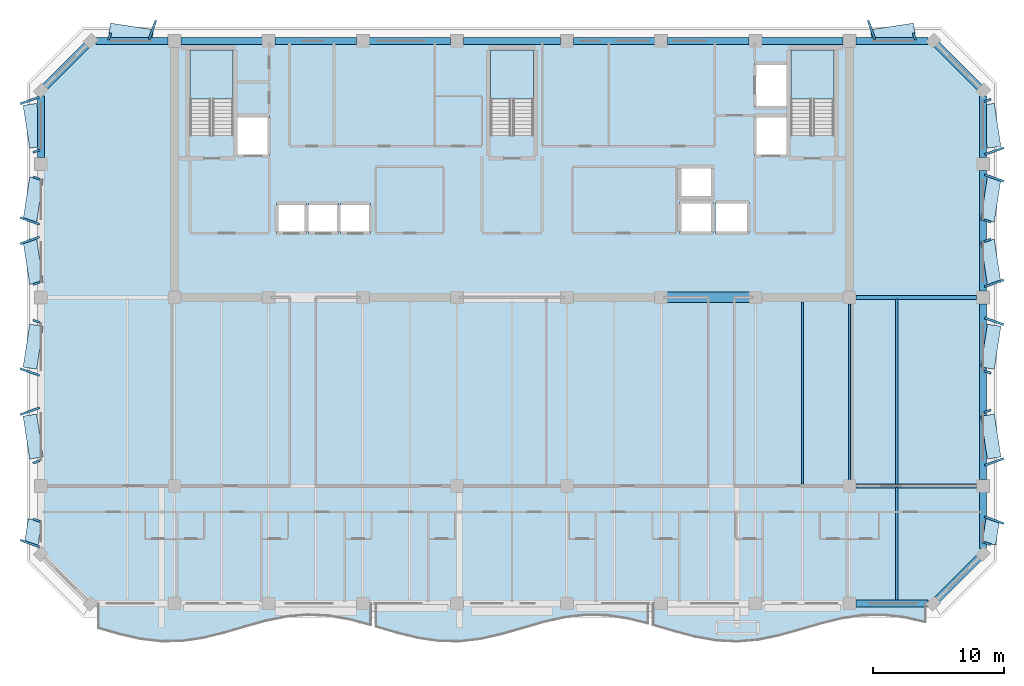
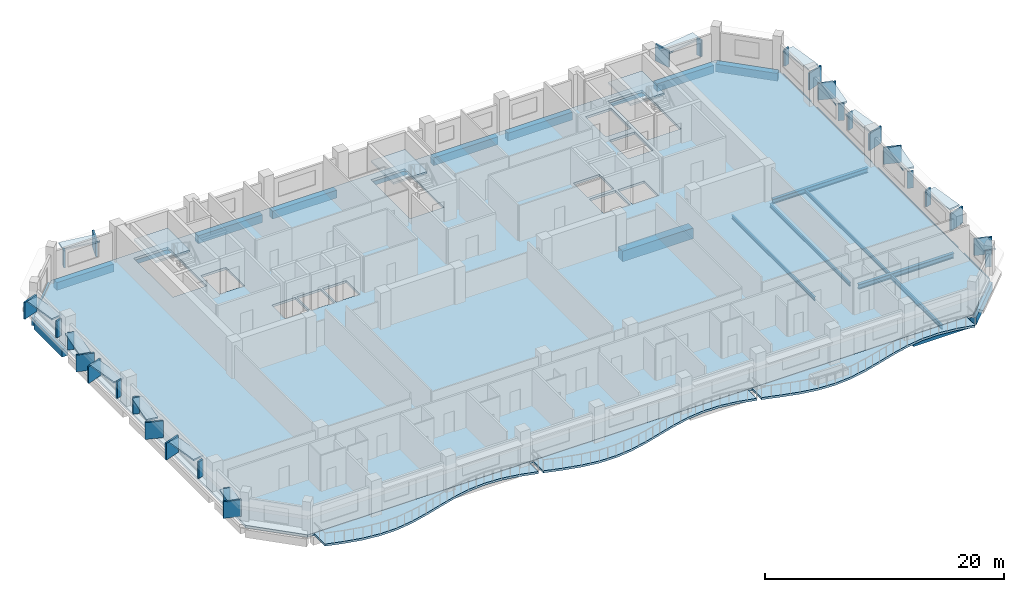
# One storey, part 2 of 11: 42 plates, 25 beams, 7 slabs, 3 elements without a shape of their own.
"""IFC4 building model written with IfcOpenShell, lengths in metres."""

from ifc_helpers import new_model, si_unit, direction, frame, origin, origin_2d, place, context, subcontext, project, spatial, polyline, rectangle, i_section, outline, extrude, material, layer, layer_set, material_profile, profile_set, type_object, element, aggregate, save


model = new_model("IFC4")

# Units and contexts
model_context = context("Model", 3, precision=1e-05, world=origin(), true_north=direction((0.0, 1.0)))
body_context = subcontext(model_context, "Body", "Model", "MODEL_VIEW")
ifc_project = project(units=[si_unit("LENGTHUNIT", "METRE"), si_unit("AREAUNIT", "SQUARE_METRE"), si_unit("VOLUMEUNIT", "CUBIC_METRE"), si_unit("PLANEANGLEUNIT", "RADIAN"), si_unit("MASSUNIT", "GRAM", prefix="KILO")], contexts=[model_context])

# Site, building, storey
site_placement = place(None, origin())
site = spatial("IfcSite", under=ifc_project, at=site_placement, CompositionType="ELEMENT")
building_placement = place(site_placement, origin())
building = spatial("IfcBuilding", under=site, at=building_placement, Name="Kaelvorn Grand Hotel", CompositionType="ELEMENT")
storey_placement = place(building_placement, frame((0.0, 0.0, 237.050048828125)))
storey = spatial("IfcBuildingStorey", under=building, at=storey_placement, Name="L58", CompositionType="ELEMENT", Elevation=237.050048828125)

# Beams
ifc_material_1 = material(Name="Steel S355", Category="steel")
ifc_material_profile_1 = material_profile(ifc_material_1, i_section(OverallWidth=0.300048828125, OverallDepth=0.5, WebThickness=0.014404296875, FlangeThickness=0.028076171875, FilletRadius=0.027099609375, at=origin_2d()), Name="HEB 500")
ifc_profile_set_1 = profile_set([ifc_material_profile_1], Name="Steel S355")
beam_type_1 = type_object("IfcBeamType", Name="BM-G-HEB500-S355", PredefinedType="BEAM", material=ifc_profile_set_1)
for number, where, z_axis, x_axis, name in (
    (1, (68.284912109375, 15.0, -0.489990234375), (1.0, 0.0, 0.0), (0.0, 1.0, 0.0), "L58 Primary Spine Steel Girder G-15 05"),
    (2, (68.284912109375, 29.39990234375, -0.489990234375), (1.0, 0.0, 0.0), (0.0, 1.0, 0.0), "L58 East Core Wing Steel Girder G-29E 01"),
):
    element("IfcBeam", number, at=place(storey_placement, frame(where, z_axis=z_axis, x_axis=x_axis)), inside=storey, type_object=beam_type_1, Name=name, PredefinedType="BEAM", context=body_context, shape_type="SweptSolid", body=[
        extrude(i_section(OverallWidth=0.300048828125, OverallDepth=0.5, WebThickness=0.014404296875, FlangeThickness=0.028076171875, FilletRadius=0.027099609375, at=origin_2d()), origin(), (0.0, 0.0, 1.0), 9.22998046875),
    ])
ifc_material_profile_2 = material_profile(ifc_material_1, i_section(OverallWidth=0.169921875, OverallDepth=0.360107421875, WebThickness=0.008056640625, FlangeThickness=0.0126953125, FilletRadius=0.01806640625, at=origin_2d()), Name="IPE 360")
ifc_profile_set_2 = profile_set([ifc_material_profile_2], Name="Steel S355")
beam_type_2 = type_object("IfcBeamType", Name="BM-J-IPE360-S355", PredefinedType="JOIST", material=ifc_profile_set_2)
beam_1_placement = place(storey_placement, frame((64.199951171875, 15.135009765625, -0.420166015625), z_axis=(0.0, 1.0, 0.0), x_axis=(-1.0, 0.0, 0.0)))
element("IfcBeam", 3, at=beam_1_placement, inside=storey, type_object=beam_type_2, Name="L58 Composite Floor Joist JM-18", PredefinedType="JOIST", context=body_context, shape_type="SweptSolid", body=[
    extrude(i_section(OverallWidth=0.169921875, OverallDepth=0.360107421875, WebThickness=0.008056640625, FlangeThickness=0.0126953125, FilletRadius=0.01806640625, at=origin_2d()), origin(), (0.0, 0.0, 1.0), 13.925048828125),
])
beam_2_placement = place(storey_placement, frame((67.800048828125, 15.485107421875, -0.420166015625), z_axis=(0.0, 1.0, 0.0), x_axis=(-1.0, 0.0, 0.0)))
element("IfcBeam", 4, at=beam_2_placement, inside=storey, type_object=beam_type_2, Name="L58 Composite Floor Joist JM-19", PredefinedType="JOIST", context=body_context, shape_type="SweptSolid", body=[
    extrude(i_section(OverallWidth=0.169921875, OverallDepth=0.360107421875, WebThickness=0.008056640625, FlangeThickness=0.0126953125, FilletRadius=0.01806640625, at=origin_2d()), origin(), (0.0, 0.0, 1.0), 13.429931640625),
])
beam_3_placement = place(storey_placement, frame((71.39990234375, 15.135009765625, -0.420166015625), z_axis=(0.0, 1.0, 0.0), x_axis=(-1.0, 0.0, 0.0)))
element("IfcBeam", 5, at=beam_3_placement, inside=storey, type_object=beam_type_2, Name="L58 Composite Floor Joist JM-20", PredefinedType="JOIST", context=body_context, shape_type="SweptSolid", body=[
    extrude(i_section(OverallWidth=0.169921875, OverallDepth=0.360107421875, WebThickness=0.008056640625, FlangeThickness=0.0126953125, FilletRadius=0.01806640625, at=origin_2d()), origin(), (0.0, 0.0, 1.0), 14.1298828125),
])
ifc_material_profile_3 = material_profile(ifc_material_1, i_section(OverallWidth=0.18994140625, OverallDepth=0.449951171875, WebThickness=0.009521484375, FlangeThickness=0.0146484375, FilletRadius=0.02099609375, at=origin_2d()), Name="IPE 450")
ifc_profile_set_3 = profile_set([ifc_material_profile_3], Name="Steel S355")
beam_type_3 = type_object("IfcBeamType", Name="BM-J-IPE450-S355", PredefinedType="JOIST", material=ifc_profile_set_3)
beam_4_placement = place(storey_placement, frame((71.39990234375, 6.260009765625, -0.465087890625), z_axis=(0.0, 1.0, 0.0), x_axis=(-1.0, 0.0, 0.0)))
element("IfcBeam", 6, at=beam_4_placement, inside=storey, type_object=beam_type_3, Name="L58 Composite Floor Joist JS-20", PredefinedType="JOIST", context=body_context, shape_type="SweptSolid", body=[
    extrude(i_section(OverallWidth=0.18994140625, OverallDepth=0.449951171875, WebThickness=0.009521484375, FlangeThickness=0.0146484375, FilletRadius=0.02099609375, at=origin_2d()), origin(), (0.0, 0.0, 1.0), 8.60498046875),
])
ifc_material_2 = material(Name="Concrete C60/75", Category="concrete")
ifc_material_profile_4 = material_profile(ifc_material_2, rectangle(XDim=0.800048828125, YDim=1.10009765625, at=origin_2d()), Name="RC LINTEL 800x1100")
ifc_profile_set_4 = profile_set([ifc_material_profile_4], Name="Concrete C60/75")
beam_type_4 = type_object("IfcBeamType", Name="BM-LIN-800x1100-C60", PredefinedType="LINTEL", material=ifc_profile_set_4)
beam_5_placement = place(storey_placement, frame((53.580078125, 29.39990234375, -0.7900390625), z_axis=(1.0, 0.0, 0.0), x_axis=(0.0, 1.0, 0.0)))
element("IfcBeam", 7, at=beam_5_placement, inside=storey, type_object=beam_type_4, Name="L58 Rear-Core Coupling Lintel Beam CB1-03", PredefinedType="LINTEL", context=body_context, shape_type="SweptSolid", body=[
    extrude(rectangle(XDim=0.800048828125, YDim=1.10009765625, at=origin_2d()), origin(), (0.0, 0.0, 1.0), 6.83984375),
])
ifc_material_3 = material(Name="Concrete C50/60", Category="concrete")
ifc_material_profile_5 = material_profile(ifc_material_3, rectangle(XDim=0.550048828125, YDim=0.800048828125, at=origin_2d()), Name="RC SPANDREL 550x800")
ifc_profile_set_5 = profile_set([ifc_material_profile_5], Name="Concrete C50/60")
beam_type_5 = type_object("IfcBeamType", Name="BM-SP-550x800-C50", PredefinedType="SPANDREL", material=ifc_profile_set_5)
for number, where, z_axis, x_axis, name in (
    (8, (68.284912109375, 6.0, -0.64013671875), (1.0, 0.0, 0.0), (0.0, 1.0, 0.0), "L58 South Perimeter Spandrel 09"),
    (9, (10.205078125, 49.0, -0.64013671875), (1.0, 0.0, 0.0), (0.0, 1.0, 0.0), "L58 North Perimeter Spandrel 01"),
):
    element("IfcBeam", number, at=place(storey_placement, frame(where, z_axis=z_axis, x_axis=x_axis)), inside=storey, type_object=beam_type_5, Name=name, PredefinedType="SPANDREL", context=body_context, shape_type="SweptSolid", body=[
        extrude(rectangle(XDim=0.550048828125, YDim=0.800048828125, at=origin_2d()), origin(), (0.0, 0.0, 1.0), 5.510009765625),
    ])
for number, where, z_axis, x_axis, name in (
    (10, (16.68505859375, 49.0, -0.64013671875), (1.0, 0.0, 0.0), (0.0, 1.0, 0.0), "L58 North Perimeter Spandrel 02"),
    (11, (23.885009765625, 49.0, -0.64013671875), (1.0, 0.0, 0.0), (0.0, 1.0, 0.0), "L58 North Perimeter Spandrel 03"),
    (12, (31.0849609375, 49.0, -0.64013671875), (1.0, 0.0, 0.0), (0.0, 1.0, 0.0), "L58 North Perimeter Spandrel 04"),
):
    element("IfcBeam", number, at=place(storey_placement, frame(where, z_axis=z_axis, x_axis=x_axis)), inside=storey, type_object=beam_type_5, Name=name, PredefinedType="SPANDREL", context=body_context, shape_type="SweptSolid", body=[
        extrude(rectangle(XDim=0.550048828125, YDim=0.800048828125, at=origin_2d()), origin(), (0.0, 0.0, 1.0), 6.22998046875),
    ])
beam_6_placement = place(storey_placement, frame((38.284912109375, 49.0, -0.64013671875), z_axis=(1.0, 0.0, 0.0), x_axis=(0.0, 1.0, 0.0)))
element("IfcBeam", 13, at=beam_6_placement, inside=storey, type_object=beam_type_5, Name="L58 North Perimeter Spandrel 05", PredefinedType="SPANDREL", context=body_context, shape_type="SweptSolid", body=[
    extrude(rectangle(XDim=0.550048828125, YDim=0.800048828125, at=origin_2d()), origin(), (0.0, 0.0, 1.0), 7.43017578125),
])
for number, where, z_axis, x_axis, name in (
    (14, (46.68505859375, 49.0, -0.64013671875), (1.0, 0.0, 0.0), (0.0, 1.0, 0.0), "L58 North Perimeter Spandrel 06"),
    (15, (53.885009765625, 49.0, -0.64013671875), (1.0, 0.0, 0.0), (0.0, 1.0, 0.0), "L58 North Perimeter Spandrel 07"),
    (16, (61.0849609375, 49.0, -0.64013671875), (1.0, 0.0, 0.0), (0.0, 1.0, 0.0), "L58 North Perimeter Spandrel 08"),
):
    element("IfcBeam", number, at=place(storey_placement, frame(where, z_axis=z_axis, x_axis=x_axis)), inside=storey, type_object=beam_type_5, Name=name, PredefinedType="SPANDREL", context=body_context, shape_type="SweptSolid", body=[
        extrude(rectangle(XDim=0.550048828125, YDim=0.800048828125, at=origin_2d()), origin(), (0.0, 0.0, 1.0), 6.22998046875),
    ])
beam_7_placement = place(storey_placement, frame((68.284912109375, 49.0, -0.64013671875), z_axis=(1.0, 0.0, 0.0), x_axis=(0.0, 1.0, 0.0)))
element("IfcBeam", 17, at=beam_7_placement, inside=storey, type_object=beam_type_5, Name="L58 North Perimeter Spandrel 09", PredefinedType="SPANDREL", context=body_context, shape_type="SweptSolid", body=[
    extrude(rectangle(XDim=0.550048828125, YDim=0.800048828125, at=origin_2d()), origin(), (0.0, 0.0, 1.0), 5.510009765625),
])
beam_8_placement = place(storey_placement, frame((6.0, 40.0849609375, -0.64013671875), z_axis=(0.0, 1.0, 0.0), x_axis=(-1.0, 0.0, 0.0)))
element("IfcBeam", 18, at=beam_8_placement, inside=storey, type_object=beam_type_5, Name="L58 West Perimeter Spandrel 04", PredefinedType="SPANDREL", context=body_context, shape_type="SweptSolid", body=[
    extrude(rectangle(XDim=0.550048828125, YDim=0.800048828125, at=origin_2d()), origin(), (0.0, 0.0, 1.0), 4.7099609375),
])
beam_9_placement = place(storey_placement, frame((78.0, 10.205078125, -0.64013671875), z_axis=(0.0, 1.0, 0.0), x_axis=(-1.0, 0.0, 0.0)))
element("IfcBeam", 19, at=beam_9_placement, inside=storey, type_object=beam_type_5, Name="L58 East Perimeter Spandrel 01", PredefinedType="SPANDREL", context=body_context, shape_type="SweptSolid", body=[
    extrude(rectangle(XDim=0.550048828125, YDim=0.800048828125, at=origin_2d()), origin(), (0.0, 0.0, 1.0), 4.309814453125),
])
beam_10_placement = place(storey_placement, frame((78.0, 15.485107421875, -0.64013671875), z_axis=(0.0, 1.0, 0.0), x_axis=(-1.0, 0.0, 0.0)))
element("IfcBeam", 20, at=beam_10_placement, inside=storey, type_object=beam_type_5, Name="L58 East Perimeter Spandrel 02", PredefinedType="SPANDREL", context=body_context, shape_type="SweptSolid", body=[
    extrude(rectangle(XDim=0.550048828125, YDim=0.800048828125, at=origin_2d()), origin(), (0.0, 0.0, 1.0), 13.429931640625),
])
beam_11_placement = place(storey_placement, frame((78.0, 29.885009765625, -0.64013671875), z_axis=(0.0, 1.0, 0.0), x_axis=(-1.0, 0.0, 0.0)))
element("IfcBeam", 21, at=beam_11_placement, inside=storey, type_object=beam_type_5, Name="L58 East Perimeter Spandrel 03", PredefinedType="SPANDREL", context=body_context, shape_type="SweptSolid", body=[
    extrude(rectangle(XDim=0.550048828125, YDim=0.800048828125, at=origin_2d()), origin(), (0.0, 0.0, 1.0), 9.22998046875),
])
beam_12_placement = place(storey_placement, frame((78.0, 40.0849609375, -0.64013671875), z_axis=(0.0, 1.0, 0.0), x_axis=(-1.0, 0.0, 0.0)))
element("IfcBeam", 22, at=beam_12_placement, inside=storey, type_object=beam_type_5, Name="L58 East Perimeter Spandrel 04", PredefinedType="SPANDREL", context=body_context, shape_type="SweptSolid", body=[
    extrude(rectangle(XDim=0.550048828125, YDim=0.800048828125, at=origin_2d()), origin(), (0.0, 0.0, 1.0), 4.7099609375),
])
for number, where, z_axis, x_axis, name in (
    (23, (74.199951171875, 6.0, -0.64013671875), (0.707106781187, 0.707106781187, 0.0), (-0.707106781187, 0.707106781187, 0.0), "L58 Chamfer Spandrel Beam 1"),
    (24, (78.0, 45.199951171875, -0.64013671875), (-0.707106781187, 0.707106781187, 0.0), (-0.707106781187, -0.707106781187, 0.0), "L58 Chamfer Spandrel Beam 2"),
    (25, (9.800048828125, 49.0, -0.64013671875), (-0.707106781187, -0.707106781187, 0.0), (0.707106781187, -0.707106781187, 0.0), "L58 Chamfer Spandrel Beam 3"),
):
    element("IfcBeam", number, at=place(storey_placement, frame(where, z_axis=z_axis, x_axis=x_axis)), inside=storey, type_object=beam_type_5, Name=name, PredefinedType="SPANDREL", context=body_context, shape_type="SweptSolid", body=[
        extrude(rectangle(XDim=0.550048828125, YDim=0.800048828125, at=origin_2d()), origin(), (0.0, 0.0, 1.0), 5.3740234375),
    ])

# Plates
ifc_material_4 = material(Name="Precast concrete C45/55", Category="concrete")
ifc_layer_1 = layer(ifc_material_4, 0.159912109375)
ifc_layer_set_1 = layer_set([ifc_layer_1], Name="Precast concrete C45/55")
plate_type_1 = type_object("IfcPlateType", Name="PL-FRAME-DEEP-1550", PredefinedType="USERDEFINED", material=ifc_layer_set_1)
for number, where, z_axis, x_axis, name in (
    (26, (78.844970703125, 12.375, 0.68994140625), (0.0, 0.0, 1.0), (0.333806859234, 0.942641491092, 0.0), "L58 Tilted Precast Window Frame Fin R-E01"),
    (27, (78.844970703125, 16.824951171875, 0.81494140625), (0.0, 0.0, 1.0), (-0.333806859234, 0.942641491092, 0.0), "L58 Tilted Precast Window Frame Fin L-E02"),
    (28, (78.844970703125, 27.574951171875, 0.81494140625), (0.0, 0.0, 1.0), (0.333806859234, 0.942641491092, 0.0), "L58 Tilted Precast Window Frame Fin R-E03"),
    (29, (78.844970703125, 30.47509765625, 0.73974609375), (0.0, 0.0, 1.0), (-0.333806859234, 0.942641491092, 0.0), "L58 Tilted Precast Window Frame Fin L-E04"),
    (30, (78.844970703125, 38.52490234375, 0.73974609375), (0.0, 0.0, 1.0), (0.333806859234, 0.942641491092, 0.0), "L58 Tilted Precast Window Frame Fin R-E05"),
    (31, (78.844970703125, 40.574951171875, 0.81494140625), (0.0, 0.0, 1.0), (-0.333806859234, 0.942641491092, 0.0), "L58 Tilted Precast Window Frame Fin L-E06"),
    (32, (5.155029296875, 10.594970703125, 0.68994140625), (0.0, 0.0, 1.0), (0.333806859234, 0.942641491092, 0.0), "L58 Tilted Precast Window Frame Fin L-W01"),
    (33, (5.155029296875, 20.705078125, 0.81494140625), (0.0, 0.0, 1.0), (-0.333806859234, 0.942641491092, 0.0), "L58 Tilted Precast Window Frame Fin R-W02"),
    (34, (5.155029296875, 23.695068359375, 0.81494140625), (0.0, 0.0, 1.0), (0.333806859234, 0.942641491092, 0.0), "L58 Tilted Precast Window Frame Fin L-W03"),
    (35, (5.155029296875, 33.7548828125, 0.73974609375), (0.0, 0.0, 1.0), (-0.333806859234, 0.942641491092, 0.0), "L58 Tilted Precast Window Frame Fin R-W04"),
    (36, (5.155029296875, 35.2451171875, 0.73974609375), (0.0, 0.0, 1.0), (0.333806859234, 0.942641491092, 0.0), "L58 Tilted Precast Window Frame Fin L-W05"),
    (37, (5.155029296875, 44.455078125, 0.81494140625), (0.0, 0.0, 1.0), (-0.333806859234, 0.942641491092, 0.0), "L58 Tilted Precast Window Frame Fin R-W06"),
    (38, (14.52490234375, 49.844970703125, 0.73974609375), (0.0, 0.0, 1.0), (0.942641491092, -0.333806859234, 0.0), "L58 Tilted Precast Window Frame Fin R-N01"),
    (39, (69.47509765625, 49.844970703125, 0.73974609375), (0.0, 0.0, 1.0), (0.942641491092, 0.333806859234, 0.0), "L58 Tilted Precast Window Frame Fin L-N02"),
):
    element("IfcPlate", number, at=place(storey_placement, frame(where, z_axis=z_axis, x_axis=x_axis)), inside=storey, type_object=plate_type_1, Name=name, ObjectType="FLANGE_PLATE", PredefinedType="USERDEFINED", context=body_context, shape_type="SweptSolid", body=[
        extrude(rectangle(XDim=0.159912109375, YDim=1.550048828125, at=origin_2d()), origin(), (0.0, 0.0, 1.0), 1.719970703125),
    ])
ifc_layer_2 = layer(ifc_material_4, 0.159912109375)
ifc_layer_set_2 = layer_set([ifc_layer_2], Name="Precast concrete C45/55")
plate_type_2 = type_object("IfcPlateType", Name="PL-FRAME-HEAD-1050", PredefinedType="USERDEFINED", material=ifc_layer_set_2)
plate_1_placement = place(storey_placement, frame((78.594970703125, 11.485107421875, 2.25), z_axis=(0.0, 0.0, 1.0), x_axis=(0.152554625759, 0.988295040036, 0.0)))
element("IfcPlate", 40, at=plate_1_placement, inside=storey, type_object=plate_type_2, Name="L58 Precast Window Frame Head Hood H-E01", ObjectType="FLANGE_PLATE", PredefinedType="USERDEFINED", context=body_context, shape_type="SweptSolid", body=[
    extrude(rectangle(XDim=1.860107421875, YDim=1.050048828125, at=origin_2d()), origin(), (0.0, 0.0, 1.0), 0.159912109375),
])
for number, where, z_axis, x_axis, name in (
    (41, (78.594970703125, 18.764892578125, 2.5), (0.0, 0.0, 1.0), (-0.152554625759, 0.988295040036, 0.0), "L58 Precast Window Frame Head Hood H-E02"),
    (42, (78.594970703125, 25.635009765625, 2.5), (0.0, 0.0, 1.0), (0.152554625759, 0.988295040036, 0.0), "L58 Precast Window Frame Head Hood H-E03"),
    (43, (78.594970703125, 32.114990234375, 2.35009765625), (0.0, 0.0, 1.0), (-0.152554625759, 0.988295040036, 0.0), "L58 Precast Window Frame Head Hood H-E04"),
    (44, (78.594970703125, 36.885009765625, 2.35009765625), (0.0, 0.0, 1.0), (0.152554625759, 0.988295040036, 0.0), "L58 Precast Window Frame Head Hood H-E05"),
    (45, (78.594970703125, 42.514892578125, 2.5), (0.0, 0.0, 1.0), (-0.152554625759, 0.988295040036, 0.0), "L58 Precast Window Frame Head Hood H-E06"),
):
    element("IfcPlate", number, at=place(storey_placement, frame(where, z_axis=z_axis, x_axis=x_axis)), inside=storey, type_object=plate_type_2, Name=name, ObjectType="FLANGE_PLATE", PredefinedType="USERDEFINED", context=body_context, shape_type="SweptSolid", body=[
        extrude(rectangle(XDim=3.320068359375, YDim=1.050048828125, at=origin_2d()), origin(), (0.0, 0.0, 1.0), 0.159912109375),
    ])
plate_2_placement = place(storey_placement, frame((5.405029296875, 11.485107421875, 2.25), z_axis=(0.0, 0.0, 1.0), x_axis=(0.152554625759, 0.988295040036, 0.0)))
element("IfcPlate", 46, at=plate_2_placement, inside=storey, type_object=plate_type_2, Name="L58 Precast Window Frame Head Hood H-W01", ObjectType="FLANGE_PLATE", PredefinedType="USERDEFINED", context=body_context, shape_type="SweptSolid", body=[
    extrude(rectangle(XDim=1.860107421875, YDim=1.050048828125, at=origin_2d()), origin(), (0.0, 0.0, 1.0), 0.159912109375),
])
for number, where, z_axis, x_axis, name in (
    (47, (5.405029296875, 18.764892578125, 2.5), (0.0, 0.0, 1.0), (-0.152554625759, 0.988295040036, 0.0), "L58 Precast Window Frame Head Hood H-W02"),
    (48, (5.405029296875, 25.635009765625, 2.5), (0.0, 0.0, 1.0), (0.152554625759, 0.988295040036, 0.0), "L58 Precast Window Frame Head Hood H-W03"),
    (49, (5.405029296875, 32.114990234375, 2.35009765625), (0.0, 0.0, 1.0), (-0.152554625759, 0.988295040036, 0.0), "L58 Precast Window Frame Head Hood H-W04"),
    (50, (5.405029296875, 36.885009765625, 2.35009765625), (0.0, 0.0, 1.0), (0.152554625759, 0.988295040036, 0.0), "L58 Precast Window Frame Head Hood H-W05"),
    (51, (5.405029296875, 42.514892578125, 2.5), (0.0, 0.0, 1.0), (-0.152554625759, 0.988295040036, 0.0), "L58 Precast Window Frame Head Hood H-W06"),
    (52, (12.885009765625, 49.594970703125, 2.35009765625), (0.0, 0.0, 1.0), (0.988295040036, -0.152554625759, 0.0), "L58 Precast Window Frame Head Hood H-N01"),
    (53, (71.114990234375, 49.594970703125, 2.35009765625), (0.0, 0.0, 1.0), (0.988295040036, 0.152554625759, 0.0), "L58 Precast Window Frame Head Hood H-N02"),
):
    element("IfcPlate", number, at=place(storey_placement, frame(where, z_axis=z_axis, x_axis=x_axis)), inside=storey, type_object=plate_type_2, Name=name, ObjectType="FLANGE_PLATE", PredefinedType="USERDEFINED", context=body_context, shape_type="SweptSolid", body=[
        extrude(rectangle(XDim=3.320068359375, YDim=1.050048828125, at=origin_2d()), origin(), (0.0, 0.0, 1.0), 0.159912109375),
    ])
ifc_layer_3 = layer(ifc_material_4, 0.159912109375)
ifc_layer_set_3 = layer_set([ifc_layer_3], Name="Precast concrete C45/55")
plate_type_3 = type_object("IfcPlateType", Name="PL-FRAME-SHAL-550", PredefinedType="USERDEFINED", material=ifc_layer_set_3)
for number, where, z_axis, x_axis, name in (
    (54, (78.344970703125, 10.594970703125, 0.68994140625), (0.0, 0.0, 1.0), (0.333806859234, 0.942641491092, 0.0), "L58 Tilted Precast Window Frame Fin L-E01"),
    (55, (78.344970703125, 20.705078125, 0.81494140625), (0.0, 0.0, 1.0), (-0.333806859234, 0.942641491092, 0.0), "L58 Tilted Precast Window Frame Fin R-E02"),
    (56, (78.344970703125, 23.695068359375, 0.81494140625), (0.0, 0.0, 1.0), (0.333806859234, 0.942641491092, 0.0), "L58 Tilted Precast Window Frame Fin L-E03"),
    (57, (78.344970703125, 33.7548828125, 0.73974609375), (0.0, 0.0, 1.0), (-0.333806859234, 0.942641491092, 0.0), "L58 Tilted Precast Window Frame Fin R-E04"),
    (58, (78.344970703125, 35.2451171875, 0.73974609375), (0.0, 0.0, 1.0), (0.333806859234, 0.942641491092, 0.0), "L58 Tilted Precast Window Frame Fin L-E05"),
    (59, (78.344970703125, 44.455078125, 0.81494140625), (0.0, 0.0, 1.0), (-0.333806859234, 0.942641491092, 0.0), "L58 Tilted Precast Window Frame Fin R-E06"),
    (60, (5.655029296875, 12.375, 0.68994140625), (0.0, 0.0, 1.0), (0.333806859234, 0.942641491092, 0.0), "L58 Tilted Precast Window Frame Fin R-W01"),
    (61, (5.655029296875, 16.824951171875, 0.81494140625), (0.0, 0.0, 1.0), (-0.333806859234, 0.942641491092, 0.0), "L58 Tilted Precast Window Frame Fin L-W02"),
    (62, (5.655029296875, 27.574951171875, 0.81494140625), (0.0, 0.0, 1.0), (0.333806859234, 0.942641491092, 0.0), "L58 Tilted Precast Window Frame Fin R-W03"),
    (63, (5.655029296875, 30.47509765625, 0.73974609375), (0.0, 0.0, 1.0), (-0.333806859234, 0.942641491092, 0.0), "L58 Tilted Precast Window Frame Fin L-W04"),
    (64, (5.655029296875, 38.52490234375, 0.73974609375), (0.0, 0.0, 1.0), (0.333806859234, 0.942641491092, 0.0), "L58 Tilted Precast Window Frame Fin R-W05"),
    (65, (5.655029296875, 40.574951171875, 0.81494140625), (0.0, 0.0, 1.0), (-0.333806859234, 0.942641491092, 0.0), "L58 Tilted Precast Window Frame Fin L-W06"),
    (66, (11.2451171875, 49.344970703125, 0.73974609375), (0.0, 0.0, 1.0), (0.942641491092, -0.333806859234, 0.0), "L58 Tilted Precast Window Frame Fin L-N01"),
    (67, (72.7548828125, 49.344970703125, 0.73974609375), (0.0, 0.0, 1.0), (0.942641491092, 0.333806859234, 0.0), "L58 Tilted Precast Window Frame Fin R-N02"),
):
    element("IfcPlate", number, at=place(storey_placement, frame(where, z_axis=z_axis, x_axis=x_axis)), inside=storey, type_object=plate_type_3, Name=name, ObjectType="FLANGE_PLATE", PredefinedType="USERDEFINED", context=body_context, shape_type="SweptSolid", body=[
        extrude(rectangle(XDim=0.159912109375, YDim=0.550048828125, at=origin_2d()), origin(), (0.0, 0.0, 1.0), 1.719970703125),
    ])

# Slabs
ifc_material_5 = material(Name="Concrete C40/50", Category="concrete")
ifc_layer_4 = layer(ifc_material_5, 0.219970703125)
ifc_layer_set_4 = layer_set([ifc_layer_4], Name="Concrete C40/50")
slab_type_1 = type_object("IfcSlabType", Name="SLB-BALC-220-C40", PredefinedType="FLOOR", material=ifc_layer_set_4)
slab_1_placement = place(storey_placement, frame((0.0, 0.0, -0.219970703125)))
element("IfcSlab", 68, at=slab_1_placement, inside=storey, type_object=slab_type_1, Name="L58 Scalloped Wave Balcony Slab 1", PredefinedType="FLOOR", context=body_context, shape_type="SweptSolid", body=[
    extrude(outline(polyline([(10.39990234375, 4.125), (12.0, 3.6650390625), (13.60009765625, 3.302734375), (15.199951171875, 3.115478515625), (16.800048828125, 3.14306640625), (18.39990234375, 3.37939453125), (20.0, 3.7744140625), (21.60009765625, 4.243896484375), (23.199951171875, 4.688232421875), (24.800048828125, 5.0126953125), (26.39990234375, 5.148193359375), (28.0, 5.066162109375), (29.60009765625, 4.783935546875), (31.199951171875, 4.361328125), (31.199951171875, 6.0), (10.39990234375, 6.0), (10.39990234375, 4.125)])), origin(), (0.0, 0.0, 1.0), 0.219970703125),
])
slab_2_placement = place(storey_placement, frame((0.0, 0.0, -0.219970703125)))
element("IfcSlab", 69, at=slab_2_placement, inside=storey, type_object=slab_type_1, Name="L58 Scalloped Wave Balcony Slab 2", PredefinedType="FLOOR", context=body_context, shape_type="SweptSolid", body=[
    extrude(outline(polyline([(31.60009765625, 4.243896484375), (33.199951171875, 3.7744140625), (34.800048828125, 3.37939453125), (36.39990234375, 3.14306640625), (38.0, 3.115478515625), (39.60009765625, 3.302734375), (41.199951171875, 3.6650390625), (42.800048828125, 4.125), (44.39990234375, 4.5849609375), (46.0, 4.947265625), (47.60009765625, 5.134521484375), (49.199951171875, 5.10693359375), (50.800048828125, 4.87060546875), (52.39990234375, 4.4755859375), (52.39990234375, 6.0), (31.60009765625, 6.0), (31.60009765625, 4.243896484375)])), origin(), (0.0, 0.0, 1.0), 0.219970703125),
])
slab_3_placement = place(storey_placement, frame((0.0, 0.0, -0.219970703125)))
element("IfcSlab", 70, at=slab_3_placement, inside=storey, type_object=slab_type_1, Name="L58 Scalloped Wave Balcony Slab 3", PredefinedType="FLOOR", context=body_context, shape_type="SweptSolid", body=[
    extrude(outline(polyline([(52.800048828125, 4.361328125), (54.39990234375, 3.888671875), (56.0, 3.466064453125), (57.60009765625, 3.183837890625), (59.199951171875, 3.101806640625), (60.800048828125, 3.2373046875), (62.39990234375, 3.561767578125), (64.0, 4.006103515625), (65.60009765625, 4.4755859375), (67.199951171875, 4.87060546875), (68.800048828125, 5.10693359375), (70.39990234375, 5.134521484375), (72.0, 4.947265625), (73.60009765625, 4.5849609375), (73.60009765625, 6.0), (52.800048828125, 6.0), (52.800048828125, 4.361328125)])), origin(), (0.0, 0.0, 1.0), 0.219970703125),
])
ifc_layer_5 = layer(ifc_material_5, 0.239990234375)
ifc_layer_set_5 = layer_set([ifc_layer_5], Name="Concrete C40/50")
slab_type_2 = type_object("IfcSlabType", Name="SLB-FLR-240-C40", PredefinedType="FLOOR", material=ifc_layer_set_5)
slab_4_placement = place(storey_placement, frame((0.0, 0.0, -0.239990234375)))
element("IfcSlab", 71, at=slab_4_placement, inside=storey, type_object=slab_type_2, Name="L58 Indoor Suspended Floor Slab", PredefinedType="FLOOR", context=body_context, shape_type="SweptSolid", body=[
    extrude(outline(polyline([(9.800048828125, 6.0), (74.199951171875, 6.0), (78.0, 9.800048828125), (78.0, 45.199951171875), (74.199951171875, 49.0), (9.800048828125, 49.0), (6.0, 45.199951171875), (6.0, 9.800048828125), (9.800048828125, 6.0)]), holes=[polyline([(17.39990234375, 41.760009765625), (17.39990234375, 48.300048828125), (20.679931640625, 48.300048828125), (20.679931640625, 41.760009765625), (17.39990234375, 41.760009765625)]), polyline([(40.360107421875, 41.760009765625), (40.360107421875, 48.300048828125), (43.639892578125, 48.300048828125), (43.639892578125, 41.760009765625), (40.360107421875, 41.760009765625)]), polyline([(63.320068359375, 41.760009765625), (63.320068359375, 48.300048828125), (66.60009765625, 48.300048828125), (66.60009765625, 41.760009765625), (63.320068359375, 41.760009765625)]), polyline([(24.0, 34.300048828125), (24.0, 36.60009765625), (26.300048828125, 36.60009765625), (26.300048828125, 34.300048828125), (24.0, 34.300048828125)]), polyline([(26.449951171875, 34.300048828125), (26.449951171875, 36.60009765625), (28.75, 36.60009765625), (28.75, 34.300048828125), (26.449951171875, 34.300048828125)]), polyline([(28.89990234375, 34.300048828125), (28.89990234375, 36.60009765625), (31.199951171875, 36.60009765625), (31.199951171875, 34.300048828125), (28.89990234375, 34.300048828125)]), polyline([(54.800048828125, 34.300048828125), (54.800048828125, 36.699951171875), (57.35009765625, 36.699951171875), (57.35009765625, 34.300048828125), (54.800048828125, 34.300048828125)]), polyline([(57.550048828125, 34.300048828125), (57.550048828125, 36.699951171875), (60.10009765625, 36.699951171875), (60.10009765625, 34.300048828125), (57.550048828125, 34.300048828125)]), polyline([(54.800048828125, 37.0), (54.800048828125, 39.39990234375), (57.35009765625, 39.39990234375), (57.35009765625, 37.0), (54.800048828125, 37.0)]), polyline([(21.0, 40.199951171875), (21.0, 43.300048828125), (23.449951171875, 43.300048828125), (23.449951171875, 40.199951171875), (21.0, 40.199951171875)]), polyline([(60.550048828125, 40.199951171875), (60.550048828125, 43.300048828125), (63.0, 43.300048828125), (63.0, 40.199951171875), (60.550048828125, 40.199951171875)]), polyline([(60.550048828125, 43.89990234375), (60.550048828125, 47.300048828125), (63.0, 47.300048828125), (63.0, 43.89990234375), (60.550048828125, 43.89990234375)])]), origin(), (0.0, 0.0, 1.0), 0.239990234375),
])

# Stair, slab
stair_type = type_object("IfcStairType", Name="STR-DOG-1560-R09", PredefinedType="HALF_TURN_STAIR", material=ifc_material_5)
stair_1_placement = place(storey_placement, origin())
stair_1 = element("IfcStair", 72, at=stair_1_placement, inside=storey, type_object=stair_type, Name="L58 West Core Exit Stair ST1", PredefinedType="HALF_TURN_STAIR")
ifc_layer_6 = layer(ifc_material_5, 0.199951171875)
ifc_layer_set_6 = layer_set([ifc_layer_6], Name="Concrete C40/50")
slab_type_3 = type_object("IfcSlabType", Name="SLB-LAND-200-C40", PredefinedType="LANDING", material=ifc_layer_set_6)
slab_5_placement = place(storey_placement, frame((0.0, 0.0, 1.77490234375)))
slab_5 = element("IfcSlab", 73, at=slab_5_placement, type_object=slab_type_3, Name="ST1 landing 1", PredefinedType="LANDING", context=body_context, shape_type="SweptSolid", body=[
    extrude(outline(polyline([(20.679931640625, 44.56005859375), (20.679931640625, 48.300048828125), (17.39990234375, 48.300048828125), (17.39990234375, 44.56005859375), (20.679931640625, 44.56005859375)])), origin(), (0.0, 0.0, 1.0), 0.199951171875),
])
aggregate(stair_1, [slab_5])

stair_2_placement = place(storey_placement, origin())
stair_2 = element("IfcStair", 74, at=stair_2_placement, inside=storey, type_object=stair_type, Name="L58 Central Core Exit Stair ST2", PredefinedType="HALF_TURN_STAIR")
slab_6_placement = place(storey_placement, frame((0.0, 0.0, 1.77490234375)))
slab_6 = element("IfcSlab", 75, at=slab_6_placement, type_object=slab_type_3, Name="ST2 landing 1", PredefinedType="LANDING", context=body_context, shape_type="SweptSolid", body=[
    extrude(outline(polyline([(43.639892578125, 44.56005859375), (43.639892578125, 48.300048828125), (40.360107421875, 48.300048828125), (40.360107421875, 44.56005859375), (43.639892578125, 44.56005859375)])), origin(), (0.0, 0.0, 1.0), 0.199951171875),
])
aggregate(stair_2, [slab_6])

stair_3_placement = place(storey_placement, origin())
stair_3 = element("IfcStair", 76, at=stair_3_placement, inside=storey, type_object=stair_type, Name="L58 East Core Exit Stair ST3", PredefinedType="HALF_TURN_STAIR")
slab_7_placement = place(storey_placement, frame((0.0, 0.0, 1.77490234375)))
slab_7 = element("IfcSlab", 77, at=slab_7_placement, type_object=slab_type_3, Name="ST3 landing 1", PredefinedType="LANDING", context=body_context, shape_type="SweptSolid", body=[
    extrude(outline(polyline([(66.60009765625, 44.56005859375), (66.60009765625, 48.300048828125), (63.320068359375, 48.300048828125), (63.320068359375, 44.56005859375), (66.60009765625, 44.56005859375)])), origin(), (0.0, 0.0, 1.0), 0.199951171875),
])
aggregate(stair_3, [slab_7])

save(model, "model.ifc")
